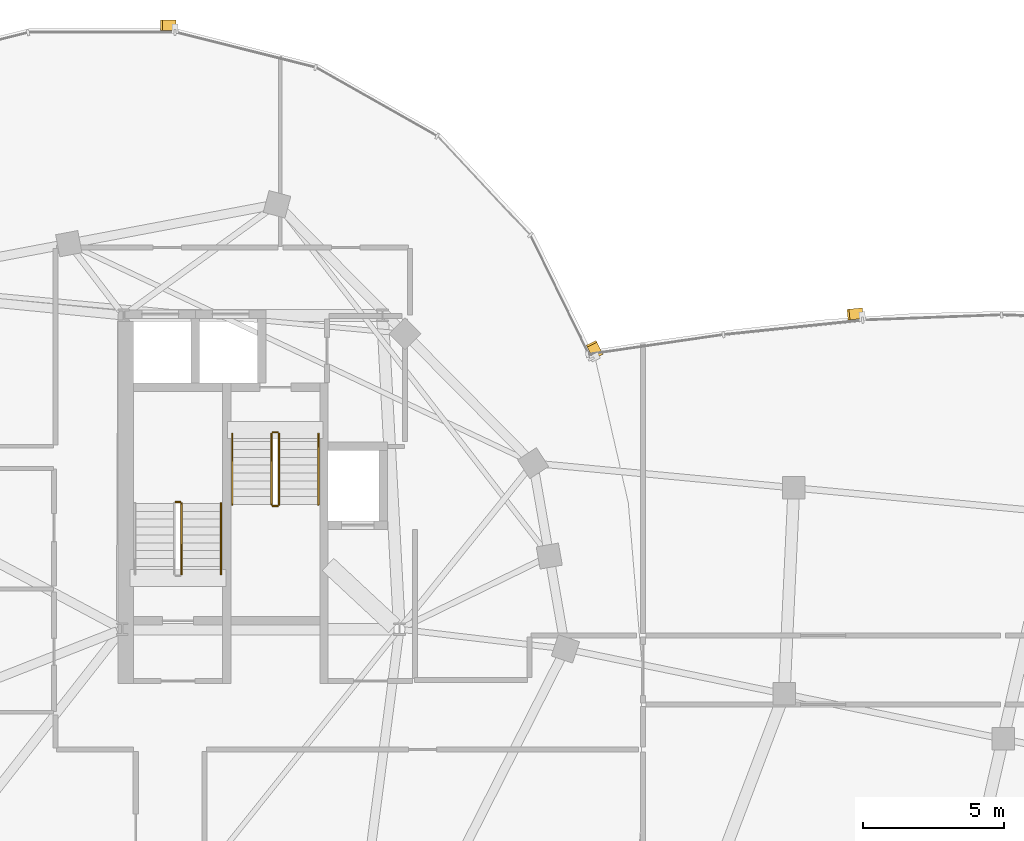
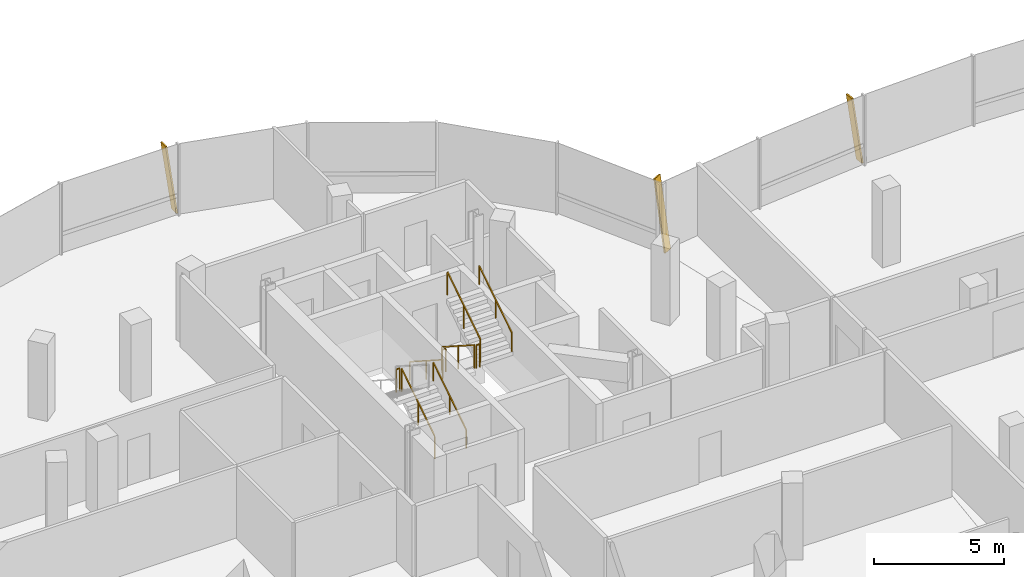
# One storey, part 23 of 25: 9 railings, 3 shading devices.
"""IFC4 building model written with IfcOpenShell, lengths in metres."""

from ifc_helpers import new_model, si_unit, direction, frame, origin, origin_2d, place, context, subcontext, project, spatial, rectangle, extrude, material, material_profile, profile_set, type_object, element, save


model = new_model("IFC4")

# Units and contexts
model_context = context("Model", 3, precision=1e-05, world=origin(), true_north=direction((0.0, 1.0)))
body_context = subcontext(model_context, "Body", "Model", "MODEL_VIEW")
ifc_project = project(units=[si_unit("LENGTHUNIT", "METRE"), si_unit("AREAUNIT", "SQUARE_METRE"), si_unit("VOLUMEUNIT", "CUBIC_METRE"), si_unit("PLANEANGLEUNIT", "RADIAN"), si_unit("MASSUNIT", "GRAM", prefix="KILO"), si_unit("THERMODYNAMICTEMPERATUREUNIT", "KELVIN"), si_unit("POWERUNIT", "WATT")], contexts=[model_context])

# Site, building, storey
site_placement = place(None, origin())
site = spatial("IfcSite", under=ifc_project, at=site_placement, CompositionType="ELEMENT")
building_placement = place(site_placement, origin())
building = spatial("IfcBuilding", under=site, at=building_placement, Name="Cundina Bronze Exchange", CompositionType="ELEMENT")
storey_placement = place(building_placement, frame((0.0, 0.0, 250.39990234375)))
storey = spatial("IfcBuildingStorey", under=building, at=storey_placement, Name="L66", CompositionType="ELEMENT", Elevation=250.39990234375)

# Railings
ifc_material_1 = material(Name="Steel ASTM A36 Painted", Category="steel")
railing_type_1 = type_object("IfcRailingType", Name="RLG-HND-900", PredefinedType="HANDRAIL", material=ifc_material_1)
railing_1_placement = place(storey_placement, frame((-27.7900390625, 5.85009765625, 0.18017578125)))
element("IfcRailing", 1, at=railing_1_placement, inside=storey, type_object=railing_type_1, Name="L66 ST-W1 stair handrail 1", PredefinedType="HANDRAIL", context=body_context, shape_type="SweptSolid", body=[
    extrude(rectangle(XDim=0.048095703125, YDim=0.048095703125, at=origin_2d()), frame((0.0, 0.0, 0.8759765625), z_axis=(0.0, 0.841199657755, 0.540724639528), x_axis=(-1.0, 0.0, 0.0)), (0.0, 0.0, 1.0), 2.995849609375),
    extrude(rectangle(XDim=0.0419921875, YDim=0.0419921875, at=origin_2d()), origin(), (0.0, 0.0, 1.0), 0.851806640625),
    extrude(rectangle(XDim=0.0419921875, YDim=0.0419921875, at=origin_2d()), frame((0.0, 1.260009765625, 0.81005859375)), (0.0, 0.0, 1.0), 0.851806640625),
    extrude(rectangle(XDim=0.0419921875, YDim=0.0419921875, at=origin_2d()), frame((0.0, 2.52001953125, 1.619873046875)), (0.0, 0.0, 1.0), 0.851806640625),
])
railing_2_placement = place(storey_placement, frame((-27.389892578125, 10.85009765625, 0.18017578125)))
element("IfcRailing", 2, at=railing_2_placement, inside=storey, type_object=railing_type_1, Name="L66 ST-W2 stair handrail 1", PredefinedType="HANDRAIL", context=body_context, shape_type="SweptSolid", body=[
    extrude(rectangle(XDim=0.048095703125, YDim=0.048095703125, at=origin_2d()), frame((0.0, 0.0, 0.8759765625), z_axis=(0.0, -0.841199657755, 0.540724639528), x_axis=(1.0, 0.0, 0.0)), (0.0, 0.0, 1.0), 2.995849609375),
    extrude(rectangle(XDim=0.0419921875, YDim=0.0419921875, at=origin_2d()), origin(), (0.0, 0.0, 1.0), 0.851806640625),
    extrude(rectangle(XDim=0.0419921875, YDim=0.0419921875, at=origin_2d()), frame((0.0, -1.260009765625, 0.81005859375)), (0.0, 0.0, 1.0), 0.851806640625),
    extrude(rectangle(XDim=0.0419921875, YDim=0.0419921875, at=origin_2d()), frame((0.0, -2.52001953125, 1.619873046875)), (0.0, 0.0, 1.0), 0.851806640625),
])
railing_3_placement = place(storey_placement, frame((-24.330078125, 8.330078125, 1.97998046875)))
element("IfcRailing", 3, at=railing_3_placement, inside=storey, type_object=railing_type_1, Name="L66 ST-W2 stair handrail 2", PredefinedType="HANDRAIL", context=body_context, shape_type="SweptSolid", body=[
    extrude(rectangle(XDim=0.048095703125, YDim=0.048095703125, at=origin_2d()), frame((0.0, 0.0, 0.8759765625), z_axis=(0.0, 0.841162588446, 0.540782303519), x_axis=(-1.0, 0.0, 0.0)), (0.0, 0.0, 1.0), 2.995849609375),
    extrude(rectangle(XDim=0.0419921875, YDim=0.0419921875, at=origin_2d()), origin(), (0.0, 0.0, 1.0), 0.851806640625),
    extrude(rectangle(XDim=0.0419921875, YDim=0.0419921875, at=origin_2d()), frame((0.0, 1.260009765625, 0.81005859375)), (0.0, 0.0, 1.0), 0.851806640625),
    extrude(rectangle(XDim=0.0419921875, YDim=0.0419921875, at=origin_2d()), frame((0.0, 2.52001953125, 1.6201171875)), (0.0, 0.0, 1.0), 0.851806640625),
])
railing_type_2 = type_object("IfcRailingType", Name="RLG-STG-1100", PredefinedType="GUARDRAIL", material=ifc_material_1)
railing_4_placement = place(storey_placement, frame((-29.18994140625, 5.85009765625, 0.18017578125)))
element("IfcRailing", 4, at=railing_4_placement, inside=storey, type_object=railing_type_2, Name="L66 ST-W1 stair guard 1", PredefinedType="GUARDRAIL", context=body_context, shape_type="SweptSolid", body=[
    extrude(rectangle(XDim=0.048095703125, YDim=0.048095703125, at=origin_2d()), frame((0.0, 0.0, 1.076171875), z_axis=(0.0, 0.841199657755, 0.540724639528), x_axis=(-1.0, 0.0, 0.0)), (0.0, 0.0, 1.0), 2.995849609375),
    extrude(rectangle(XDim=0.0419921875, YDim=0.0419921875, at=origin_2d()), origin(), (0.0, 0.0, 1.0), 1.052001953125),
    extrude(rectangle(XDim=0.0419921875, YDim=0.0419921875, at=origin_2d()), frame((0.0, 1.260009765625, 0.81005859375)), (0.0, 0.0, 1.0), 1.052001953125),
    extrude(rectangle(XDim=0.0419921875, YDim=0.0419921875, at=origin_2d()), frame((0.0, 2.52001953125, 1.619873046875)), (0.0, 0.0, 1.0), 1.052001953125),
])
railing_5_placement = place(storey_placement, frame((-29.239990234375, 8.419921875, 1.800048828125)))
element("IfcRailing", 5, at=railing_5_placement, inside=storey, type_object=railing_type_2, Name="L66 ST-W1 stair guard 2", PredefinedType="GUARDRAIL", context=body_context, shape_type="SweptSolid", body=[
    extrude(rectangle(XDim=0.048095703125, YDim=0.048095703125, at=origin_2d()), frame((0.0, 0.0, 1.076171875), z_axis=(-1.0, 0.0, 0.0), x_axis=(0.0, -1.0, 0.0)), (0.0, 0.0, 1.0), 0.159912109375),
    extrude(rectangle(XDim=0.0419921875, YDim=0.0419921875, at=origin_2d()), origin(), (0.0, 0.0, 1.0), 1.052001953125),
    extrude(rectangle(XDim=0.0419921875, YDim=0.0419921875, at=origin_2d()), frame((-0.159912109375, 0.0, 0.0)), (0.0, 0.0, 1.0), 1.052001953125),
])
railing_6_placement = place(storey_placement, frame((-25.989990234375, 10.85009765625, 0.18017578125)))
element("IfcRailing", 6, at=railing_6_placement, inside=storey, type_object=railing_type_2, Name="L66 ST-W2 stair guard 1", PredefinedType="GUARDRAIL", context=body_context, shape_type="SweptSolid", body=[
    extrude(rectangle(XDim=0.048095703125, YDim=0.048095703125, at=origin_2d()), frame((0.0, 0.0, 1.076171875), z_axis=(0.0, -0.841199657755, 0.540724639528), x_axis=(1.0, 0.0, 0.0)), (0.0, 0.0, 1.0), 2.995849609375),
    extrude(rectangle(XDim=0.0419921875, YDim=0.0419921875, at=origin_2d()), origin(), (0.0, 0.0, 1.0), 1.052001953125),
    extrude(rectangle(XDim=0.0419921875, YDim=0.0419921875, at=origin_2d()), frame((0.0, -1.260009765625, 0.81005859375)), (0.0, 0.0, 1.0), 1.052001953125),
    extrude(rectangle(XDim=0.0419921875, YDim=0.0419921875, at=origin_2d()), frame((0.0, -2.52001953125, 1.619873046875)), (0.0, 0.0, 1.0), 1.052001953125),
])
railing_7_placement = place(storey_placement, frame((-25.93994140625, 8.280029296875, 1.800048828125)))
element("IfcRailing", 7, at=railing_7_placement, inside=storey, type_object=railing_type_2, Name="L66 ST-W2 stair guard 2", PredefinedType="GUARDRAIL", context=body_context, shape_type="SweptSolid", body=[
    extrude(rectangle(XDim=0.048095703125, YDim=0.048095703125, at=origin_2d()), frame((0.0, 0.0, 1.076171875), z_axis=(1.0, 0.0, 0.0), x_axis=(0.0, 1.0, 0.0)), (0.0, 0.0, 1.0), 0.159912109375),
    extrude(rectangle(XDim=0.0419921875, YDim=0.0419921875, at=origin_2d()), origin(), (0.0, 0.0, 1.0), 1.052001953125),
    extrude(rectangle(XDim=0.0419921875, YDim=0.0419921875, at=origin_2d()), frame((0.159912109375, 0.0, 0.0)), (0.0, 0.0, 1.0), 1.052001953125),
])
railing_8_placement = place(storey_placement, frame((-25.72998046875, 8.330078125, 1.97998046875)))
element("IfcRailing", 8, at=railing_8_placement, inside=storey, type_object=railing_type_2, Name="L66 ST-W2 stair guard 3", PredefinedType="GUARDRAIL", context=body_context, shape_type="SweptSolid", body=[
    extrude(rectangle(XDim=0.048095703125, YDim=0.048095703125, at=origin_2d()), frame((0.0, 0.0, 1.076171875), z_axis=(0.0, 0.841162588446, 0.540782303519), x_axis=(-1.0, 0.0, 0.0)), (0.0, 0.0, 1.0), 2.995849609375),
    extrude(rectangle(XDim=0.0419921875, YDim=0.0419921875, at=origin_2d()), origin(), (0.0, 0.0, 1.0), 1.052001953125),
    extrude(rectangle(XDim=0.0419921875, YDim=0.0419921875, at=origin_2d()), frame((0.0, 1.260009765625, 0.81005859375)), (0.0, 0.0, 1.0), 1.052001953125),
    extrude(rectangle(XDim=0.0419921875, YDim=0.0419921875, at=origin_2d()), frame((0.0, 2.52001953125, 1.6201171875)), (0.0, 0.0, 1.0), 1.052001953125),
])
railing_9_placement = place(storey_placement, frame((-25.93994140625, 10.89990234375, 0.0)))
element("IfcRailing", 9, at=railing_9_placement, inside=storey, type_object=railing_type_2, Name="L66 ST-W2 stair guard 4", PredefinedType="GUARDRAIL", context=body_context, shape_type="SweptSolid", body=[
    extrude(rectangle(XDim=0.048095703125, YDim=0.048095703125, at=origin_2d()), frame((0.0, 0.0, 1.076171875), z_axis=(1.0, 0.0, 0.0), x_axis=(0.0, 1.0, 0.0)), (0.0, 0.0, 1.0), 0.159912109375),
    extrude(rectangle(XDim=0.0419921875, YDim=0.0419921875, at=origin_2d()), origin(), (0.0, 0.0, 1.0), 1.052001953125),
    extrude(rectangle(XDim=0.0419921875, YDim=0.0419921875, at=origin_2d()), frame((0.159912109375, 0.0, 0.0)), (0.0, 0.0, 1.0), 1.052001953125),
])

# Shading devices
ifc_material_2 = material(Name="Anodised Bronze Aluminium 6063-T6", Category="aluminium")
ifc_material_profile = material_profile(ifc_material_2, rectangle(XDim=0.070068359375, YDim=0.3798828125, at=origin_2d()), Name="FIN70X380", Category="aluminium")
ifc_profile_set = profile_set([ifc_material_profile], Name="Anodised Bronze Aluminium 6063-T6")
shading_device_type = type_object("IfcShadingDeviceType", Name="SHD-FIN-BRZ380", PredefinedType="USERDEFINED", material=ifc_profile_set)
for number, where, z_axis, x_axis, name in (
    (10, (-14.406494140625, 13.614013671875, 0.02001953125), (-0.063400368732, 0.129216686851, 0.989587510574), (0.435900311632, -0.888411143223, 0.143932480407), "L66 Diagonal Bronze Solar Fin 1"),
    (11, (-29.423583984375, 25.360107421875, 0.02001953125), (-0.143932024572, 0.0, 0.989587576874), (0.989587576874, 0.0, 0.143932024572), "L66 Diagonal Bronze Solar Fin 5"),
):
    element("IfcShadingDevice", number, at=place(storey_placement, frame(where, z_axis=z_axis, x_axis=x_axis)), inside=storey, type_object=shading_device_type, Name=name, ObjectType="FIN", PredefinedType="USERDEFINED", context=body_context, shape_type="SweptSolid", body=[
        extrude(rectangle(XDim=0.070068359375, YDim=0.3798828125, at=origin_2d()), origin(), (0.0, 0.0, 1.0), 3.334716796875),
    ])
shading_device_placement = place(storey_placement, frame((-5.0146484375, 15.12890625, 0.02001953125), z_axis=(-0.145724273631, -0.015056932621, 0.989210657471), x_axis=(0.983972150742, 0.101668733734, 0.14650008582)))
element("IfcShadingDevice", 12, at=shading_device_placement, inside=storey, type_object=shading_device_type, Name="L66 Diagonal Bronze Solar Fin 5", ObjectType="FIN", PredefinedType="USERDEFINED", context=body_context, shape_type="SweptSolid", body=[
    extrude(rectangle(XDim=0.070068359375, YDim=0.3798828125, at=origin_2d()), origin(), (0.0, 0.0, 1.0), 3.275390625),
])

save(model, "model.ifc")
